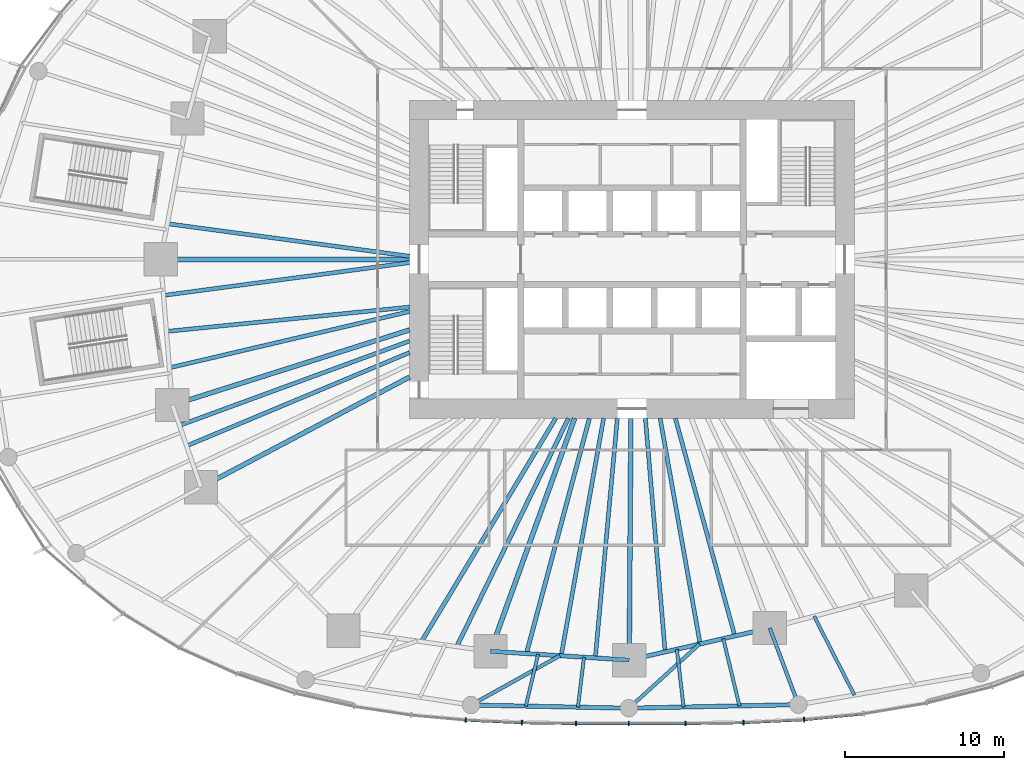
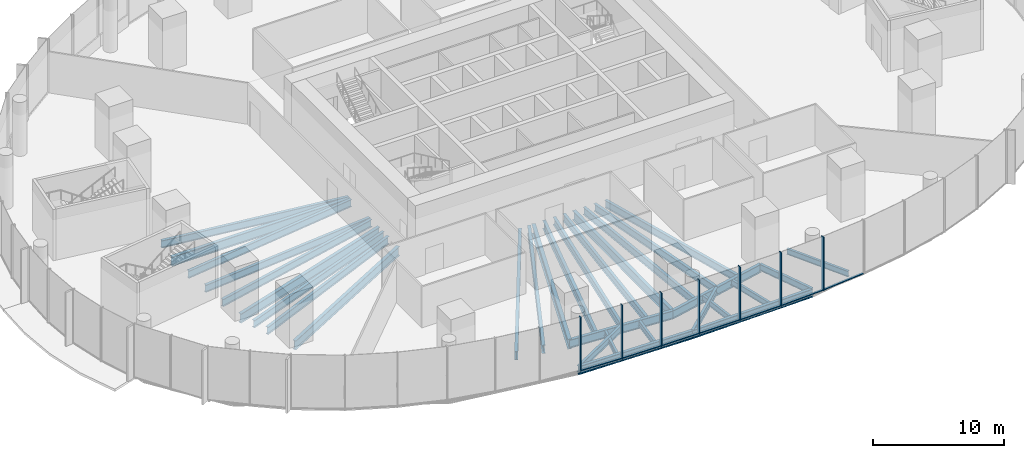
# One storey, part 3 of 28: 31 beams, 14 members, 3 elements without a shape of their own.
"""IFC4 building model written with IfcOpenShell, lengths in metres."""

from ifc_helpers import new_model, si_unit, direction, frame, origin, origin_2d, place, context, subcontext, project, spatial, rectangle, i_section, extrude, material, material_profile, profile_set, type_object, element, aggregate, save


model = new_model("IFC4")

# Units and contexts
model_context = context("Model", 3, precision=1e-05, world=origin(), true_north=direction((0.0, 1.0)))
body_context = subcontext(model_context, "Body", "Model", "MODEL_VIEW")
ifc_project = project(units=[si_unit("LENGTHUNIT", "METRE"), si_unit("AREAUNIT", "SQUARE_METRE"), si_unit("VOLUMEUNIT", "CUBIC_METRE"), si_unit("PLANEANGLEUNIT", "RADIAN"), si_unit("MASSUNIT", "GRAM", prefix="KILO")], contexts=[model_context])

# Site, building, storey
site_placement = place(None, origin())
site = spatial("IfcSite", under=ifc_project, at=site_placement, CompositionType="ELEMENT")
building_placement = place(site_placement, origin())
building = spatial("IfcBuilding", under=site, at=building_placement, Name="Ghaith Harvest Tower", CompositionType="ELEMENT")
storey_placement = place(building_placement, frame((0.0, 0.0, 5.0)))
storey = spatial("IfcBuildingStorey", under=building, at=storey_placement, Name="L01", CompositionType="ELEMENT", Elevation=5.0)

# Curtain wall, members
ifc_material_1 = material(Name="Black anodised aluminium and fritted glass", Category="aluminium")
curtain_wall_type = type_object("IfcCurtainWallType", Name="CW-P CURTAIN WALL", PredefinedType="NOTDEFINED", material=ifc_material_1)
curtain_wall_1_placement = place(storey_placement, origin())
curtain_wall_1 = element("IfcCurtainWall", 1, at=curtain_wall_1_placement, inside=storey, type_object=curtain_wall_type, Name="Curtain wall CW-P bay 15 L01", PredefinedType="NOTDEFINED")
ifc_material_2 = material(Name="Aluminium, black anodised", Category="aluminium")
ifc_material_profile_1 = material_profile(ifc_material_2, rectangle(XDim=0.080078125, YDim=0.300048828125, at=origin_2d()), Name="CW-P MULLION 80x300")
ifc_profile_set_1 = profile_set([ifc_material_profile_1], Name="Aluminium, black anodised")
member_type_1 = type_object("IfcMemberType", Name="CW-P MULLION 80x300", PredefinedType="MULLION", material=ifc_profile_set_1)
member_1_placement = place(storey_placement, frame((-10.47412109375, -28.99951171875, 0.0), z_axis=(0.0, 0.0, 1.0), x_axis=(0.997678039271, -0.06810675412, 0.0)))
member_1 = element("IfcMember", 2, at=member_1_placement, type_object=member_type_1, Name="CW-P mullion 1 bay 15 L01", PredefinedType="MULLION", context=body_context, shape_type="SweptSolid", body=[
    extrude(rectangle(XDim=0.080078125, YDim=0.300048828125, at=origin_2d()), origin(), (0.0, 0.0, 1.0), 5.0),
])
member_2_placement = place(storey_placement, frame((-6.931396484375, -29.1630859375, 0.0), z_axis=(0.0, 0.0, 1.0), x_axis=(0.999511883012, -0.031240930161, 0.0)))
member_2 = element("IfcMember", 3, at=member_2_placement, type_object=member_type_1, Name="CW-P mullion 2 bay 15 L01", PredefinedType="MULLION", context=body_context, shape_type="SweptSolid", body=[
    extrude(rectangle(XDim=0.080078125, YDim=0.300048828125, at=origin_2d()), origin(), (0.0, 0.0, 1.0), 5.0),
])
member_3_placement = place(storey_placement, frame((-3.52587890625, -29.216796875, 0.0), z_axis=(0.0, 0.0, 1.0), x_axis=(0.999964009515, -0.008484083564, 0.0)))
member_3 = element("IfcMember", 4, at=member_3_placement, type_object=member_type_1, Name="CW-P mullion 3 bay 15 L01", PredefinedType="MULLION", context=body_context, shape_type="SweptSolid", body=[
    extrude(rectangle(XDim=0.080078125, YDim=0.300048828125, at=origin_2d()), origin(), (0.0, 0.0, 1.0), 5.0),
])

curtain_wall_2_placement = place(storey_placement, origin())
curtain_wall_2 = element("IfcCurtainWall", 5, at=curtain_wall_2_placement, inside=storey, type_object=curtain_wall_type, Name="Curtain wall CW-P bay 16 L01", PredefinedType="NOTDEFINED")
member_4_placement = place(storey_placement, frame((-0.199951171875, -29.219970703125, 0.0), z_axis=(0.0, 0.0, 1.0), x_axis=(0.999999991899, -0.000127289934, 0.0)))
member_4 = element("IfcMember", 6, at=member_4_placement, type_object=member_type_1, Name="CW-P mullion 1 bay 16 L01", PredefinedType="MULLION", context=body_context, shape_type="SweptSolid", body=[
    extrude(rectangle(XDim=0.080078125, YDim=0.300048828125, at=origin_2d()), origin(), (0.0, 0.0, 1.0), 5.0),
])
member_5_placement = place(storey_placement, frame((3.36572265625, -29.2177734375, 0.0), z_axis=(0.0, 0.0, 1.0), x_axis=(0.999965896499, 0.008258682643, 0.0)))
member_5 = element("IfcMember", 7, at=member_5_placement, type_object=member_type_1, Name="CW-P mullion 2 bay 16 L01", PredefinedType="MULLION", context=body_context, shape_type="SweptSolid", body=[
    extrude(rectangle(XDim=0.080078125, YDim=0.300048828125, at=origin_2d()), origin(), (0.0, 0.0, 1.0), 5.0),
])
member_6_placement = place(storey_placement, frame((7.019287109375, -29.160400390625, 0.0), z_axis=(0.0, 0.0, 1.0), x_axis=(0.999471964708, 0.032492949445, 0.0)))
member_6 = element("IfcMember", 8, at=member_6_placement, type_object=member_type_1, Name="CW-P mullion 3 bay 16 L01", PredefinedType="MULLION", context=body_context, shape_type="SweptSolid", body=[
    extrude(rectangle(XDim=0.080078125, YDim=0.300048828125, at=origin_2d()), origin(), (0.0, 0.0, 1.0), 5.0),
])

# Curtain wall, member
curtain_wall_3_placement = place(storey_placement, origin())
curtain_wall_3 = element("IfcCurtainWall", 9, at=curtain_wall_3_placement, inside=storey, type_object=curtain_wall_type, Name="Curtain wall CW-P bay 17 L01", PredefinedType="NOTDEFINED")
member_7_placement = place(storey_placement, frame((10.831787109375, -28.974853515625, 0.0), z_axis=(0.0, 0.0, 1.0), x_axis=(0.997280573598, 0.073698422803, 0.0)))
member_7 = element("IfcMember", 10, at=member_7_placement, type_object=member_type_1, Name="CW-P mullion 1 bay 17 L01", PredefinedType="MULLION", context=body_context, shape_type="SweptSolid", body=[
    extrude(rectangle(XDim=0.080078125, YDim=0.300048828125, at=origin_2d()), origin(), (0.0, 0.0, 1.0), 5.0),
])

# Member
ifc_material_3 = material(Name="Aluminium, black anodised", Category="aluminium")
ifc_material_profile_2 = material_profile(ifc_material_3, rectangle(XDim=0.179931640625, YDim=0.080078125, at=origin_2d()), Name="CW-P TRANSOM 180x80")
ifc_profile_set_2 = profile_set([ifc_material_profile_2], Name="Aluminium, black anodised")
member_type_2 = type_object("IfcMemberType", Name="CW-P TRANSOM 180x80", PredefinedType="USERDEFINED", material=ifc_profile_set_2)
member_8_placement = place(storey_placement, frame((-10.43408203125, -29.00146484375, 0.0400390625), z_axis=(0.998938704665, -0.046059356518, 0.0), x_axis=(0.046059356518, 0.998938704665, 0.0)))
member_8 = element("IfcMember", 11, at=member_8_placement, type_object=member_type_2, Name="CW-P transom 1 bay 15 L01", ObjectType="TRANSOM", PredefinedType="USERDEFINED", context=body_context, shape_type="SweptSolid", body=[
    extrude(rectangle(XDim=0.179931640625, YDim=0.080078125, at=origin_2d()), origin(), (0.0, 0.0, 1.0), 3.466552734375),
])

member_9_placement = place(storey_placement, frame((-6.891357421875, -29.16357421875, 0.0400390625), z_axis=(0.999875467118, -0.015781326195, 0.0), x_axis=(0.015781326195, 0.999875467118, 0.0)))
member_9 = element("IfcMember", 12, at=member_9_placement, type_object=member_type_2, Name="CW-P transom 2 bay 15 L01", ObjectType="TRANSOM", PredefinedType="USERDEFINED", context=body_context, shape_type="SweptSolid", body=[
    extrude(rectangle(XDim=0.179931640625, YDim=0.080078125, at=origin_2d()), origin(), (0.0, 0.0, 1.0), 3.326171875),
])

member_10_placement = place(storey_placement, frame((-3.48583984375, -29.216796875, 0.0400390625), z_axis=(0.999999521943, -0.00097781074, 0.0), x_axis=(0.00097781074, 0.999999521943, 0.0)))
member_10 = element("IfcMember", 13, at=member_10_placement, type_object=member_type_2, Name="CW-P transom 3 bay 15 L01", ObjectType="TRANSOM", PredefinedType="USERDEFINED", context=body_context, shape_type="SweptSolid", body=[
    extrude(rectangle(XDim=0.179931640625, YDim=0.080078125, at=origin_2d()), origin(), (0.0, 0.0, 1.0), 3.245849609375),
])

aggregate(curtain_wall_1, [member_1, member_8, member_2, member_9, member_3, member_10])

member_11_placement = place(storey_placement, frame((-0.159912109375, -29.219970703125, 0.0400390625), z_axis=(0.999999801308, 0.000630384409, 0.0), x_axis=(-0.000630384409, 0.999999801308, 0.0)))
member_11 = element("IfcMember", 14, at=member_11_placement, type_object=member_type_2, Name="CW-P transom 1 bay 16 L01", ObjectType="TRANSOM", PredefinedType="USERDEFINED", context=body_context, shape_type="SweptSolid", body=[
    extrude(rectangle(XDim=0.179931640625, YDim=0.080078125, at=origin_2d()), origin(), (0.0, 0.0, 1.0), 3.485595703125),
])

member_12_placement = place(storey_placement, frame((3.40576171875, -29.217041015625, 0.0400390625), z_axis=(0.999877635031, 0.015643368069, 0.0), x_axis=(-0.015643368069, 0.999877635031, 0.0)))
member_12 = element("IfcMember", 15, at=member_12_placement, type_object=member_type_2, Name="CW-P transom 2 bay 16 L01", ObjectType="TRANSOM", PredefinedType="USERDEFINED", context=body_context, shape_type="SweptSolid", body=[
    extrude(rectangle(XDim=0.179931640625, YDim=0.080078125, at=origin_2d()), origin(), (0.0, 0.0, 1.0), 3.573974609375),
])

member_13_placement = place(storey_placement, frame((7.059326171875, -29.158447265625, 0.0400390625), z_axis=(0.998818082311, 0.048604922051, 0.0), x_axis=(-0.048604922051, 0.998818082311, 0.0)))
member_13 = element("IfcMember", 16, at=member_13_placement, type_object=member_type_2, Name="CW-P transom 3 bay 16 L01", ObjectType="TRANSOM", PredefinedType="USERDEFINED", context=body_context, shape_type="SweptSolid", body=[
    extrude(rectangle(XDim=0.179931640625, YDim=0.080078125, at=origin_2d()), origin(), (0.0, 0.0, 1.0), 3.737060546875),
])

aggregate(curtain_wall_2, [member_4, member_11, member_5, member_12, member_6, member_13])

member_14_placement = place(storey_placement, frame((10.87158203125, -28.970947265625, 0.0400390625), z_axis=(0.995096989908, 0.098903896165, 0.0), x_axis=(-0.098903896165, 0.995096989908, 0.0)))
member_14 = element("IfcMember", 17, at=member_14_placement, type_object=member_type_2, Name="CW-P transom 1 bay 17 L01", ObjectType="TRANSOM", PredefinedType="USERDEFINED", context=body_context, shape_type="SweptSolid", body=[
    extrude(rectangle(XDim=0.179931640625, YDim=0.080078125, at=origin_2d()), origin(), (0.0, 0.0, 1.0), 3.70751953125),
])

aggregate(curtain_wall_3, [member_7, member_14])

# Beams
ifc_material_4 = material(Name="Steel ASTM A992 Grade 50", Category="steel")
ifc_material_profile_3 = material_profile(ifc_material_4, i_section(OverallWidth=0.26806640625, OverallDepth=0.77001953125, WebThickness=0.015625, FlangeThickness=0.025390625, at=origin_2d()), Name="W760X196")
ifc_profile_set_3 = profile_set([ifc_material_profile_3], Name="Steel ASTM A992 Grade 50")
beam_type_1 = type_object("IfcBeamType", Name="E760-196 W760X196", PredefinedType="SPANDREL", material=ifc_profile_set_3)
beam_1_placement = place(storey_placement, frame((-8.908935546875, -24.66796875, -0.635009765625), z_axis=(0.99797963184, -0.063534671101, 0.0), x_axis=(0.063534671101, 0.99797963184, 0.0)))
element("IfcBeam", 18, at=beam_1_placement, inside=storey, type_object=beam_type_1, Name="Edge beam E15 L01", PredefinedType="SPANDREL", context=body_context, shape_type="SweptSolid", body=[
    extrude(i_section(OverallWidth=0.26806640625, OverallDepth=0.77001953125, WebThickness=0.015625, FlangeThickness=0.025390625, at=origin_2d()), origin(), (0.0, 0.0, 1.0), 8.75341796875),
])
beam_2_placement = place(storey_placement, frame((-0.173095703125, -25.22412109375, -0.635009765625), z_axis=(0.974881709383, 0.22272326486, 0.0), x_axis=(-0.22272326486, 0.974881709383, 0.0)))
element("IfcBeam", 19, at=beam_2_placement, inside=storey, type_object=beam_type_1, Name="Edge beam E16 L01", PredefinedType="SPANDREL", context=body_context, shape_type="SweptSolid", body=[
    extrude(i_section(OverallWidth=0.26806640625, OverallDepth=0.77001953125, WebThickness=0.015625, FlangeThickness=0.025390625, at=origin_2d()), origin(), (0.0, 0.0, 1.0), 9.0751953125),
])
beam_3_placement = place(storey_placement, frame((-10.131103515625, -28.050048828125, -0.635009765625), z_axis=(0.999797656564, -0.02011581292, 0.0), x_axis=(0.02011581292, 0.999797656564, 0.0)))
element("IfcBeam", 20, at=beam_3_placement, inside=storey, type_object=beam_type_1, Name="Podium edge beam PE15 L01", PredefinedType="SPANDREL", context=body_context, shape_type="SweptSolid", body=[
    extrude(i_section(OverallWidth=0.26806640625, OverallDepth=0.77001953125, WebThickness=0.015625, FlangeThickness=0.025390625, at=origin_2d()), origin(), (0.0, 0.0, 1.0), 9.93994140625),
])
beam_4_placement = place(storey_placement, frame((-0.193115234375, -28.25, -0.635009765625), z_axis=(0.99978187412, 0.020885501683, 0.0), x_axis=(-0.020885501683, 0.99978187412, 0.0)))
element("IfcBeam", 21, at=beam_4_placement, inside=storey, type_object=beam_type_1, Name="Podium edge beam PE16 L01", PredefinedType="SPANDREL", context=body_context, shape_type="SweptSolid", body=[
    extrude(i_section(OverallWidth=0.26806640625, OverallDepth=0.77001953125, WebThickness=0.015625, FlangeThickness=0.025390625, at=origin_2d()), origin(), (0.0, 0.0, 1.0), 10.672607421875),
])
ifc_material_5 = material(Name="Steel ASTM A992 Grade 50", Category="steel")
ifc_material_profile_4 = material_profile(ifc_material_5, i_section(OverallWidth=0.22802734375, OverallDepth=0.60302734375, WebThickness=0.010498046875, FlangeThickness=0.014892578125, at=origin_2d()), Name="W610X101")
ifc_profile_set_4 = profile_set([ifc_material_profile_4], Name="Steel ASTM A992 Grade 50")
beam_type_2 = type_object("IfcBeamType", Name="G610-101 W610X101", PredefinedType="BEAM", material=ifc_profile_set_4)
beam_5_placement = place(storey_placement, frame((-4.541015625, -24.946044921875, -0.551513671875), z_axis=(-0.874263517669, -0.4854516471, 0.0), x_axis=(0.4854516471, -0.874263517669, 0.0)))
element("IfcBeam", 22, at=beam_5_placement, inside=storey, type_object=beam_type_2, Name="Podium radial beam PR15 L01", PredefinedType="BEAM", context=body_context, shape_type="SweptSolid", body=[
    extrude(i_section(OverallWidth=0.22802734375, OverallDepth=0.60302734375, WebThickness=0.010498046875, FlangeThickness=0.014892578125, at=origin_2d()), origin(), (0.0, 0.0, 1.0), 6.39404296875),
])
beam_6_placement = place(storey_placement, frame((4.25048828125, -24.21337890625, -0.551513671875), z_axis=(-0.740190284103, -0.672397459335, 0.0), x_axis=(0.672397459335, -0.740190284103, 0.0)))
element("IfcBeam", 23, at=beam_6_placement, inside=storey, type_object=beam_type_2, Name="Podium radial beam PR16 L01", PredefinedType="BEAM", context=body_context, shape_type="SweptSolid", body=[
    extrude(i_section(OverallWidth=0.22802734375, OverallDepth=0.60302734375, WebThickness=0.010498046875, FlangeThickness=0.014892578125, at=origin_2d()), origin(), (0.0, 0.0, 1.0), 6.00341796875),
])
beam_7_placement = place(storey_placement, frame((8.674072265625, -23.202880859375, -0.551513671875), z_axis=(0.350084216782, -0.936718229331, 0.0), x_axis=(0.936718229331, 0.350084216782, 0.0)))
element("IfcBeam", 24, at=beam_7_placement, inside=storey, type_object=beam_type_2, Name="Podium radial beam PR17 L01", PredefinedType="BEAM", context=body_context, shape_type="SweptSolid", body=[
    extrude(i_section(OverallWidth=0.22802734375, OverallDepth=0.60302734375, WebThickness=0.010498046875, FlangeThickness=0.014892578125, at=origin_2d()), origin(), (0.0, 0.0, 1.0), 5.150146484375),
])
ifc_material_6 = material(Name="Steel ASTM A992 Grade 50", Category="steel")
ifc_material_profile_5 = material_profile(ifc_material_6, i_section(OverallWidth=0.2939453125, OverallDepth=0.85107421875, WebThickness=0.01611328125, FlangeThickness=0.02685546875, at=origin_2d()), Name="W840X226")
ifc_profile_set_5 = profile_set([ifc_material_profile_5], Name="Steel ASTM A992 Grade 50")
beam_type_3 = type_object("IfcBeamType", Name="G840-226 W840X226", PredefinedType="BEAM", material=ifc_profile_set_5)
beam_8_placement = place(storey_placement, frame((-14.0, 0.0, -0.675537109375), z_axis=(-1.0, 0.0, 0.0), x_axis=(0.0, -1.0, 0.0)))
element("IfcBeam", 25, at=beam_8_placement, inside=storey, type_object=beam_type_3, Name="Radial girder G11 L01", PredefinedType="BEAM", context=body_context, shape_type="SweptSolid", body=[
    extrude(i_section(OverallWidth=0.2939453125, OverallDepth=0.85107421875, WebThickness=0.01611328125, FlangeThickness=0.02685546875, at=origin_2d()), origin(), (0.0, 0.0, 1.0), 15.675048828125),
])
beam_9_placement = place(storey_placement, frame((-14.0, -4.43701171875, -0.675537109375), z_axis=(-0.953284407194, -0.302074227636, 0.0), x_axis=(0.302074227636, -0.953284407194, 0.0)))
element("IfcBeam", 26, at=beam_9_placement, inside=storey, type_object=beam_type_3, Name="Radial girder G12 L01", PredefinedType="BEAM", context=body_context, shape_type="SweptSolid", body=[
    extrude(i_section(OverallWidth=0.2939453125, OverallDepth=0.85107421875, WebThickness=0.01611328125, FlangeThickness=0.02685546875, at=origin_2d()), origin(), (0.0, 0.0, 1.0), 15.66162109375),
])
beam_10_placement = place(storey_placement, frame((-14.0, -7.39990234375, -0.675537109375), z_axis=(-0.884097171481, -0.467303104397, 0.0), x_axis=(0.467303104397, -0.884097171481, 0.0)))
element("IfcBeam", 27, at=beam_10_placement, inside=storey, type_object=beam_type_3, Name="Radial girder G13 L01", PredefinedType="BEAM", context=body_context, shape_type="SweptSolid", body=[
    extrude(i_section(OverallWidth=0.2939453125, OverallDepth=0.85107421875, WebThickness=0.01611328125, FlangeThickness=0.02685546875, at=origin_2d()), origin(), (0.0, 0.0, 1.0), 14.853759765625),
])
beam_11_placement = place(storey_placement, frame((-0.068359375, -10.0, -0.675537109375), z_axis=(-0.006879467722, -0.999976336182, 0.0), x_axis=(0.999976336182, -0.006879467722, 0.0)))
element("IfcBeam", 28, at=beam_11_placement, inside=storey, type_object=beam_type_3, Name="Radial girder G16 L01", PredefinedType="BEAM", context=body_context, shape_type="SweptSolid", body=[
    extrude(i_section(OverallWidth=0.2939453125, OverallDepth=0.85107421875, WebThickness=0.01611328125, FlangeThickness=0.02685546875, at=origin_2d()), origin(), (0.0, 0.0, 1.0), 15.224365234375),
])
ifc_material_7 = material(Name="Steel ASTM A992 Grade 50", Category="steel")
ifc_material_profile_6 = material_profile(ifc_material_7, i_section(OverallWidth=0.31005859375, OverallDepth=0.927001953125, WebThickness=0.019287109375, FlangeThickness=0.031982421875, at=origin_2d()), Name="W920X289")
ifc_profile_set_6 = profile_set([ifc_material_profile_6], Name="Steel ASTM A992 Grade 50")
beam_type_4 = type_object("IfcBeamType", Name="G920-289 W920X289", PredefinedType="BEAM", material=ifc_profile_set_6)
beam_12_placement = place(storey_placement, frame((-3.61181640625, -10.0, -0.71337890625), z_axis=(-0.339664467784, -0.940546675782, 0.0), x_axis=(0.940546675782, -0.339664467784, 0.0)))
element("IfcBeam", 29, at=beam_12_placement, inside=storey, type_object=beam_type_4, Name="Radial girder G15 L01", PredefinedType="BEAM", context=body_context, shape_type="SweptSolid", body=[
    extrude(i_section(OverallWidth=0.31005859375, OverallDepth=0.927001953125, WebThickness=0.019287109375, FlangeThickness=0.031982421875, at=origin_2d()), origin(), (0.0, 0.0, 1.0), 15.59521484375),
])
ifc_material_8 = material(Name="Steel ASTM A992 Grade 50", Category="steel")
ifc_material_profile_7 = material_profile(ifc_material_8, i_section(OverallWidth=0.208984375, OverallDepth=0.532958984375, WebThickness=0.01025390625, FlangeThickness=0.015625, at=origin_2d()), Name="W530X92")
ifc_profile_set_7 = profile_set([ifc_material_profile_7], Name="Steel ASTM A992 Grade 50")
beam_type_5 = type_object("IfcBeamType", Name="J530-92 W530X92", PredefinedType="JOIST", material=ifc_profile_set_7)
beam_13_placement = place(storey_placement, frame((-5.908447265625, -24.85888671875, -0.5166015625), z_axis=(-0.231223276773, -0.972900712446, 0.0), x_axis=(0.972900712446, -0.231223276773, 0.0)))
element("IfcBeam", 30, at=beam_13_placement, inside=storey, type_object=beam_type_5, Name="Podium joist PJ15.1 L01", PredefinedType="JOIST", context=body_context, shape_type="SweptSolid", body=[
    extrude(i_section(OverallWidth=0.208984375, OverallDepth=0.532958984375, WebThickness=0.01025390625, FlangeThickness=0.015625, at=origin_2d()), origin(), (0.0, 0.0, 1.0), 3.351318359375),
])
beam_14_placement = place(storey_placement, frame((-3.02197265625, -25.042724609375, -0.5166015625), z_axis=(-0.119856859733, -0.992791183067, 0.0), x_axis=(0.992791183067, -0.119856859733, 0.0)))
element("IfcBeam", 31, at=beam_14_placement, inside=storey, type_object=beam_type_5, Name="Podium joist PJ15.2 L01", PredefinedType="JOIST", context=body_context, shape_type="SweptSolid", body=[
    extrude(i_section(OverallWidth=0.208984375, OverallDepth=0.532958984375, WebThickness=0.01025390625, FlangeThickness=0.015625, at=origin_2d()), origin(), (0.0, 0.0, 1.0), 3.165283203125),
])
beam_15_placement = place(storey_placement, frame((2.82666015625, -24.538818359375, -0.5166015625), z_axis=(0.114431852892, -0.9934311003, 0.0), x_axis=(0.9934311003, 0.114431852892, 0.0)))
element("IfcBeam", 32, at=beam_15_placement, inside=storey, type_object=beam_type_5, Name="Podium joist PJ16.1 L01", PredefinedType="JOIST", context=body_context, shape_type="SweptSolid", body=[
    extrude(i_section(OverallWidth=0.208984375, OverallDepth=0.532958984375, WebThickness=0.01025390625, FlangeThickness=0.015625, at=origin_2d()), origin(), (0.0, 0.0, 1.0), 3.663330078125),
])
beam_16_placement = place(storey_placement, frame((5.746337890625, -23.871826171875, -0.5166015625), z_axis=(0.23401555596, -0.972232852546, 0.0), x_axis=(0.972232852546, 0.23401555596, 0.0)))
element("IfcBeam", 33, at=beam_16_placement, inside=storey, type_object=beam_type_5, Name="Podium joist PJ16.2 L01", PredefinedType="JOIST", context=body_context, shape_type="SweptSolid", body=[
    extrude(i_section(OverallWidth=0.208984375, OverallDepth=0.532958984375, WebThickness=0.01025390625, FlangeThickness=0.015625, at=origin_2d()), origin(), (0.0, 0.0, 1.0), 4.353515625),
])
beam_17_placement = place(storey_placement, frame((11.46630859375, -22.46044921875, -0.5166015625), z_axis=(0.454718723068, -0.890635100864, 0.0), x_axis=(0.890635100864, 0.454718723068, 0.0)))
element("IfcBeam", 34, at=beam_17_placement, inside=storey, type_object=beam_type_5, Name="Podium joist PJ17.1 L01", PredefinedType="JOIST", context=body_context, shape_type="SweptSolid", body=[
    extrude(i_section(OverallWidth=0.208984375, OverallDepth=0.532958984375, WebThickness=0.01025390625, FlangeThickness=0.015625, at=origin_2d()), origin(), (0.0, 0.0, 1.0), 5.5703125),
])
ifc_material_9 = material(Name="Steel ASTM A992 Grade 50", Category="steel")
ifc_material_profile_8 = material_profile(ifc_material_9, i_section(OverallWidth=0.25390625, OverallDepth=0.68408203125, WebThickness=0.012451171875, FlangeThickness=0.018798828125, at=origin_2d()), Name="W690X140")
ifc_profile_set_8 = profile_set([ifc_material_profile_8], Name="Steel ASTM A992 Grade 50")
beam_type_6 = type_object("IfcBeamType", Name="J690-140 W690X140", PredefinedType="JOIST", material=ifc_profile_set_8)
beam_18_placement = place(storey_placement, frame((-14.0, 0.199951171875, -0.592041015625), z_axis=(-0.991095171591, 0.133155401128, 0.0), x_axis=(-0.133155401128, -0.991095171591, 0.0)))
element("IfcBeam", 35, at=beam_18_placement, inside=storey, type_object=beam_type_6, Name="Joist J10.3 L01", PredefinedType="JOIST", context=body_context, shape_type="SweptSolid", body=[
    extrude(i_section(OverallWidth=0.25390625, OverallDepth=0.68408203125, WebThickness=0.012451171875, FlangeThickness=0.018798828125, at=origin_2d()), origin(), (0.0, 0.0, 1.0), 15.383056640625),
])
beam_19_placement = place(storey_placement, frame((-14.0, -0.199951171875, -0.592041015625), z_axis=(-0.991213569042, -0.132271162948, 0.0), x_axis=(0.132271162948, -0.991213569042, 0.0)))
element("IfcBeam", 36, at=beam_19_placement, inside=storey, type_object=beam_type_6, Name="Joist J11.1 L01", PredefinedType="JOIST", context=body_context, shape_type="SweptSolid", body=[
    extrude(i_section(OverallWidth=0.25390625, OverallDepth=0.68408203125, WebThickness=0.012451171875, FlangeThickness=0.018798828125, at=origin_2d()), origin(), (0.0, 0.0, 1.0), 15.6279296875),
])
beam_20_placement = place(storey_placement, frame((-14.0, -3.0, -0.592041015625), z_axis=(-0.995023982133, -0.099635711366, 0.0), x_axis=(0.099635711366, -0.995023982133, 0.0)))
element("IfcBeam", 37, at=beam_20_placement, inside=storey, type_object=beam_type_6, Name="Joist J11.2 L01", PredefinedType="JOIST", context=body_context, shape_type="SweptSolid", body=[
    extrude(i_section(OverallWidth=0.25390625, OverallDepth=0.68408203125, WebThickness=0.012451171875, FlangeThickness=0.018798828125, at=origin_2d()), origin(), (0.0, 0.0, 1.0), 15.38330078125),
])
beam_21_placement = place(storey_placement, frame((-14.0, -3.280517578125, -0.592041015625), z_axis=(-0.973622531394, -0.228164778969, 0.0), x_axis=(0.228164778969, -0.973622531394, 0.0)))
element("IfcBeam", 38, at=beam_21_placement, inside=storey, type_object=beam_type_6, Name="Joist J11.3 L01", PredefinedType="JOIST", context=body_context, shape_type="SweptSolid", body=[
    extrude(i_section(OverallWidth=0.25390625, OverallDepth=0.68408203125, WebThickness=0.012451171875, FlangeThickness=0.018798828125, at=origin_2d()), origin(), (0.0, 0.0, 1.0), 15.5302734375),
])
beam_22_placement = place(storey_placement, frame((-14.0, -5.137939453125, -0.592041015625), z_axis=(-0.938772784742, -0.344536875569, 0.0), x_axis=(0.344536875569, -0.938772784742, 0.0)))
element("IfcBeam", 39, at=beam_22_placement, inside=storey, type_object=beam_type_6, Name="Joist J12.1 L01", PredefinedType="JOIST", context=body_context, shape_type="SweptSolid", body=[
    extrude(i_section(OverallWidth=0.25390625, OverallDepth=0.68408203125, WebThickness=0.012451171875, FlangeThickness=0.018798828125, at=origin_2d()), origin(), (0.0, 0.0, 1.0), 15.427734375),
])
beam_23_placement = place(storey_placement, frame((-14.0, -5.862548828125, -0.592041015625), z_axis=(-0.922389547545, -0.386260951404, 0.0), x_axis=(0.386260951404, -0.922389547545, 0.0)))
element("IfcBeam", 40, at=beam_23_placement, inside=storey, type_object=beam_type_6, Name="Joist J12.2 L01", PredefinedType="JOIST", context=body_context, shape_type="SweptSolid", body=[
    extrude(i_section(OverallWidth=0.25390625, OverallDepth=0.68408203125, WebThickness=0.012451171875, FlangeThickness=0.018798828125, at=origin_2d()), origin(), (0.0, 0.0, 1.0), 15.216796875),
])
beam_24_placement = place(storey_placement, frame((-1.785888671875, -10.0, -0.592041015625), z_axis=(-0.175792307544, -0.984427277461, 0.0), x_axis=(0.984427277461, -0.175792307544, 0.0)))
element("IfcBeam", 41, at=beam_24_placement, inside=storey, type_object=beam_type_6, Name="Joist J15.2 L01", PredefinedType="JOIST", context=body_context, shape_type="SweptSolid", body=[
    extrude(i_section(OverallWidth=0.25390625, OverallDepth=0.68408203125, WebThickness=0.012451171875, FlangeThickness=0.018798828125, at=origin_2d()), origin(), (0.0, 0.0, 1.0), 15.18798828125),
])
beam_25_placement = place(storey_placement, frame((-0.92041015625, -10.0, -0.592041015625), z_axis=(-0.091651457116, -0.995791147987, 0.0), x_axis=(0.995791147987, -0.091651457116, 0.0)))
element("IfcBeam", 42, at=beam_25_placement, inside=storey, type_object=beam_type_6, Name="Joist J15.3 L01", PredefinedType="JOIST", context=body_context, shape_type="SweptSolid", body=[
    extrude(i_section(OverallWidth=0.25390625, OverallDepth=0.68408203125, WebThickness=0.012451171875, FlangeThickness=0.018798828125, at=origin_2d()), origin(), (0.0, 0.0, 1.0), 15.151611328125),
])
beam_26_placement = place(storey_placement, frame((0.844970703125, -10.0, -0.592041015625), z_axis=(0.084208979751, -0.996448115924, 0.0), x_axis=(0.996448115924, 0.084208979751, 0.0)))
element("IfcBeam", 43, at=beam_26_placement, inside=storey, type_object=beam_type_6, Name="Joist J16.1 L01", PredefinedType="JOIST", context=body_context, shape_type="SweptSolid", body=[
    extrude(i_section(OverallWidth=0.25390625, OverallDepth=0.68408203125, WebThickness=0.012451171875, FlangeThickness=0.018798828125, at=origin_2d()), origin(), (0.0, 0.0, 1.0), 14.760009765625),
])
beam_27_placement = place(storey_placement, frame((1.772705078125, -10.0, -0.592041015625), z_axis=(0.174552818486, -0.98464781194, 0.0), x_axis=(0.98464781194, 0.174552818486, 0.0)))
element("IfcBeam", 44, at=beam_27_placement, inside=storey, type_object=beam_type_6, Name="Joist J16.2 L01", PredefinedType="JOIST", context=body_context, shape_type="SweptSolid", body=[
    extrude(i_section(OverallWidth=0.25390625, OverallDepth=0.68408203125, WebThickness=0.012451171875, FlangeThickness=0.018798828125, at=origin_2d()), origin(), (0.0, 0.0, 1.0), 14.42578125),
])
beam_28_placement = place(storey_placement, frame((2.73095703125, -10.0, -0.592041015625), z_axis=(0.263463446032, -0.964669379946, 0.0), x_axis=(0.964669379946, 0.263463446032, 0.0)))
element("IfcBeam", 45, at=beam_28_placement, inside=storey, type_object=beam_type_6, Name="Joist J16.3 L01", PredefinedType="JOIST", context=body_context, shape_type="SweptSolid", body=[
    extrude(i_section(OverallWidth=0.25390625, OverallDepth=0.68408203125, WebThickness=0.012451171875, FlangeThickness=0.018798828125, at=origin_2d()), origin(), (0.0, 0.0, 1.0), 14.20751953125),
])
ifc_material_10 = material(Name="Steel ASTM A992 Grade 50", Category="steel")
ifc_material_profile_9 = material_profile(ifc_material_10, i_section(OverallWidth=0.26806640625, OverallDepth=0.77001953125, WebThickness=0.015625, FlangeThickness=0.025390625, at=origin_2d()), Name="W760X196")
ifc_profile_set_9 = profile_set([ifc_material_profile_9], Name="Steel ASTM A992 Grade 50")
beam_type_7 = type_object("IfcBeamType", Name="J760-196 W760X196", PredefinedType="JOIST", material=ifc_profile_set_9)
beam_29_placement = place(storey_placement, frame((-4.800048828125, -10.0, -0.635009765625), z_axis=(-0.515226384897, -0.85705412449, 0.0), x_axis=(0.85705412449, -0.515226384897, 0.0)))
element("IfcBeam", 46, at=beam_29_placement, inside=storey, type_object=beam_type_7, Name="Joist J14.2 L01", PredefinedType="JOIST", context=body_context, shape_type="SweptSolid", body=[
    extrude(i_section(OverallWidth=0.26806640625, OverallDepth=0.77001953125, WebThickness=0.015625, FlangeThickness=0.025390625, at=origin_2d()), origin(), (0.0, 0.0, 1.0), 16.408447265625),
])
beam_30_placement = place(storey_placement, frame((-4.0, -10.0, -0.635009765625), z_axis=(-0.439463806704, -0.898260297797, 0.0), x_axis=(0.898260297797, -0.439463806704, 0.0)))
element("IfcBeam", 47, at=beam_30_placement, inside=storey, type_object=beam_type_7, Name="Joist J14.3 L01", PredefinedType="JOIST", context=body_context, shape_type="SweptSolid", body=[
    extrude(i_section(OverallWidth=0.26806640625, OverallDepth=0.77001953125, WebThickness=0.015625, FlangeThickness=0.025390625, at=origin_2d()), origin(), (0.0, 0.0, 1.0), 16.000244140625),
])
beam_31_placement = place(storey_placement, frame((-2.677978515625, -10.0, -0.635009765625), z_axis=(-0.258693109612, -0.965959561803, 0.0), x_axis=(0.965959561803, -0.258693109612, 0.0)))
element("IfcBeam", 48, at=beam_31_placement, inside=storey, type_object=beam_type_7, Name="Joist J15.1 L01", PredefinedType="JOIST", context=body_context, shape_type="SweptSolid", body=[
    extrude(i_section(OverallWidth=0.26806640625, OverallDepth=0.77001953125, WebThickness=0.015625, FlangeThickness=0.025390625, at=origin_2d()), origin(), (0.0, 0.0, 1.0), 15.333984375),
])

save(model, "model.ifc")
